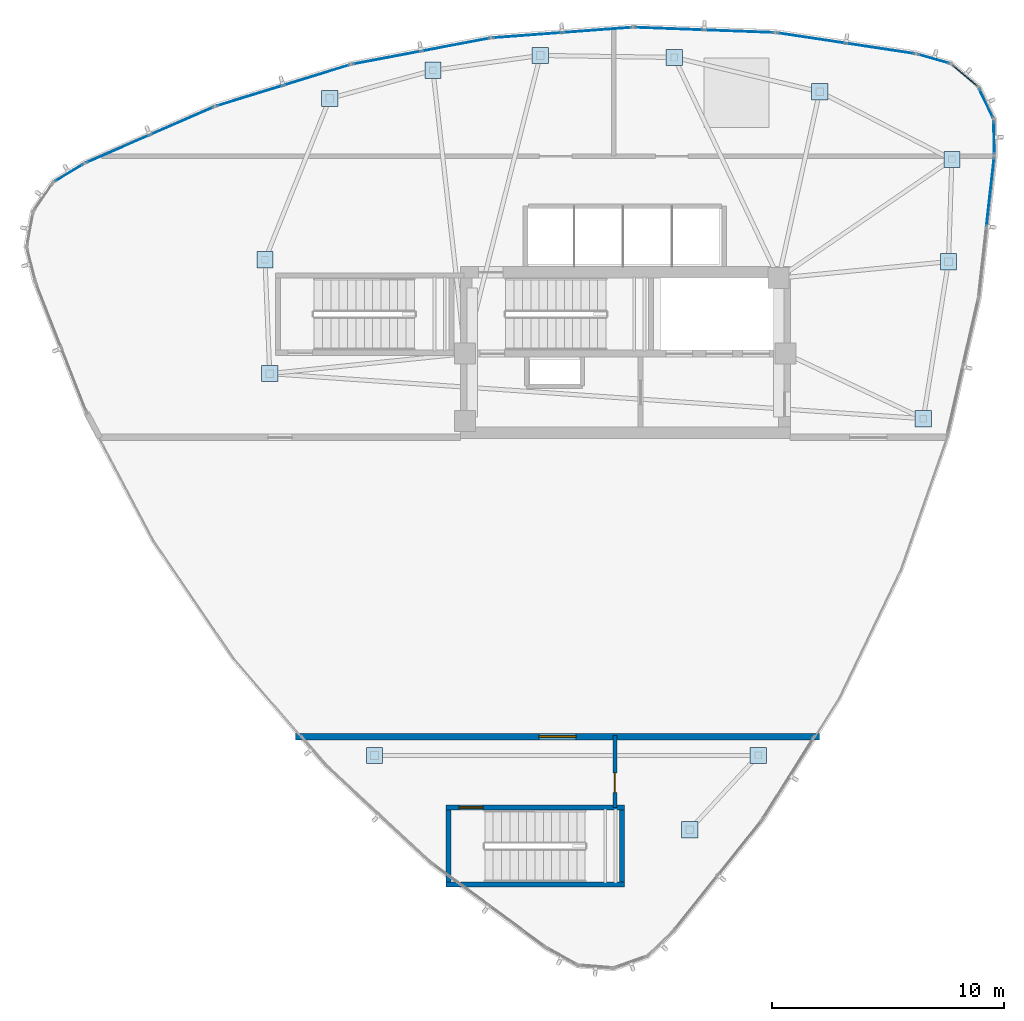
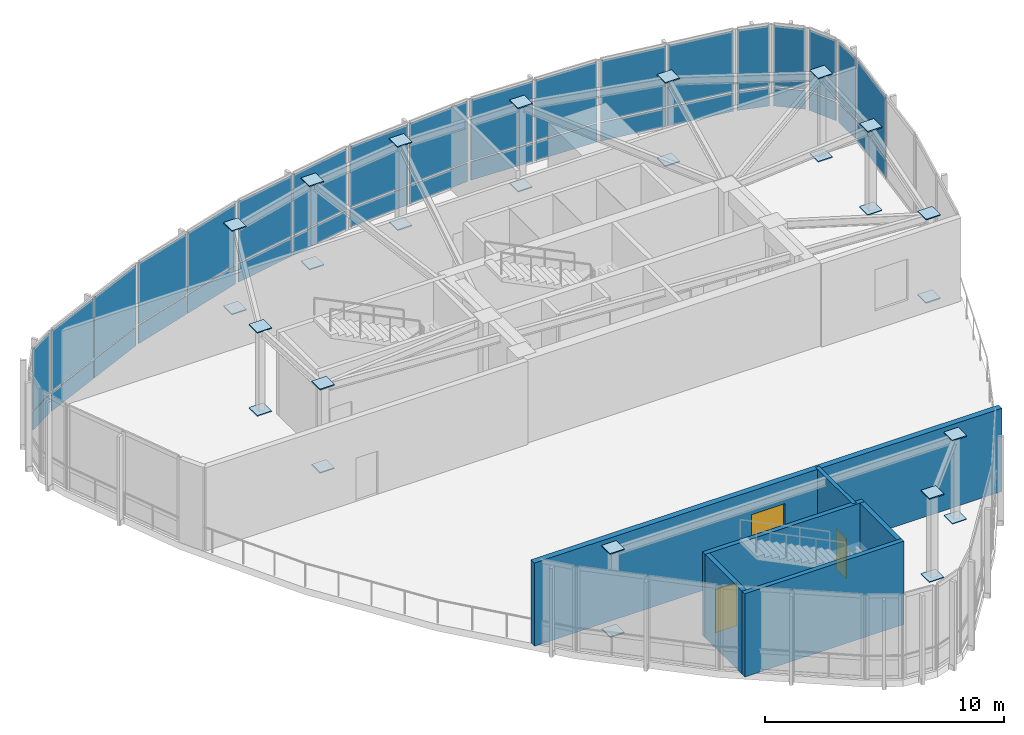
# One storey, part 10 of 16: 62 plates, 6 walls, 2 doors, 1 window, 3 openings, 12 elements without a shape of their own.
"""IFC4 building model written with IfcOpenShell, lengths in metres."""

import ifcopenshell
import ifcopenshell.guid

model = None  # the IFC model being written
_history = None  # IfcOwnerHistory: only IFC2X3 demands one
_inside = {}  # id of a spatial element -> (the spatial element, [elements in it])
_under = {}  # id of a project, library or spatial element -> (it, [spatial elements below it])
_declared = {}  # id of a project -> (the project, [libraries it declares])
_typed = {}  # id of a type object -> (the type object, [elements of that type])
_made_of = {}  # id of a material, layer set ... -> (it, [elements and type objects made of it])


def new_model(schema):
    """Start an empty IFC model of exactly this schema.

    Asked for "IFC4X3", IfcOpenShell would pick the latest addendum, in which some entities
    have other attributes; the version numbers below select the first issue.
    IFC2X3 requires an IfcOwnerHistory on every rooted entity: one is made here for all.
    """
    global model, _history
    if schema == "IFC4X3":
        model = ifcopenshell.file(schema_version=(4, 3, 0, 0))
    else:
        model = ifcopenshell.file(schema=schema)
    _inside.clear()
    _under.clear()
    _declared.clear()
    _typed.clear()
    _made_of.clear()
    _history = None
    if model.schema == "IFC2X3":
        org = make("IfcOrganization", Name="unknown")
        user = make(
            "IfcPersonAndOrganization",
            ThePerson=make("IfcPerson", FamilyName="unknown"),
            TheOrganization=org,
        )
        app = make(
            "IfcApplication",
            ApplicationDeveloper=org,
            Version="unknown",
            ApplicationFullName="unknown",
            ApplicationIdentifier="unknown",
        )
        _history = make(
            "IfcOwnerHistory",
            OwningUser=user,
            OwningApplication=app,
            ChangeAction="ADDED",
            CreationDate=0,
        )
    return model


def make(cls, **values):
    """One entity of the class cls with the attributes given. An attribute that is None is left unset."""
    return model.create_entity(
        cls, **{name: value for name, value in values.items() if value is not None}
    )


def rooted(cls, **values):
    """An entity with a GlobalId (a new one), such as an element, a storey or a relation."""
    return make(cls, GlobalId=ifcopenshell.guid.new(), OwnerHistory=_history, **values)


def si_unit(unit_type, name, prefix=None):
    """IfcSIUnit, for example si_unit("LENGTHUNIT", "METRE", prefix="MILLI")."""
    return make("IfcSIUnit", UnitType=unit_type, Prefix=prefix, Name=name)


def assignment(units):
    """IfcUnitAssignment: the units of a project."""
    return None if units is None else make("IfcUnitAssignment", Units=units)


def point(xyz):
    """IfcCartesianPoint."""
    return None if xyz is None else make("IfcCartesianPoint", Coordinates=xyz)


def direction(xyz):
    """IfcDirection."""
    return None if xyz is None else make("IfcDirection", DirectionRatios=xyz)


def frame(location, z_axis=None, x_axis=None):
    """IfcAxis2Placement3D, a coordinate frame: its origin and axes. An axis left out is left unset."""
    return make(
        "IfcAxis2Placement3D",
        Location=point(location),
        Axis=direction(z_axis),
        RefDirection=direction(x_axis),
    )


def frame_2d(location, x_axis=None):
    """IfcAxis2Placement2D, a coordinate frame in the plane: its origin and x axis."""
    return make(
        "IfcAxis2Placement2D", Location=point(location), RefDirection=direction(x_axis)
    )


def origin():
    """The frame at (0, 0, 0) with its axes left unset."""
    return frame((0.0, 0.0, 0.0))


def origin_2d():
    """The frame at (0, 0) in the plane with its x axis left unset."""
    return frame_2d((0.0, 0.0))


def place(relative_to, where):
    """IfcLocalPlacement: puts the frame where relative to a parent placement (None: the world)."""
    return make(
        "IfcLocalPlacement", PlacementRelTo=relative_to, RelativePlacement=where
    )


def context(
    kind, dimensions, precision=None, world=None, true_north=None, identifier=None
):
    """IfcGeometricRepresentationContext, for example the 3D "Model" context."""
    return make(
        "IfcGeometricRepresentationContext",
        ContextIdentifier=identifier,
        ContextType=kind,
        CoordinateSpaceDimension=dimensions,
        Precision=precision,
        WorldCoordinateSystem=world,
        TrueNorth=true_north,
    )


def subcontext(parent, identifier, kind, view, scale=None):
    """IfcGeometricRepresentationSubContext, for example "Body" below "Model"."""
    return make(
        "IfcGeometricRepresentationSubContext",
        ContextIdentifier=identifier,
        ContextType=kind,
        ParentContext=parent,
        TargetScale=scale,
        TargetView=view,
    )


def project(units=None, contexts=None):
    """IfcProject with its units and contexts."""
    return rooted(
        "IfcProject",
        Name="project",
        RepresentationContexts=contexts,
        UnitsInContext=assignment(units),
    )


def spatial(cls, under=None, at=None, **own):
    """A site, building, storey or space (cls), placed at a placement, below another one or the project."""
    s = rooted(cls, ObjectPlacement=at, **own)
    if under is not None:
        _under.setdefault(under.id(), (under, []))[1].append(s)
    return s


def profile(cls, at=None, kind="AREA", **sizes):
    """A parametric profile (cls). Its sizes go by their IFC names, for example OverallWidth=200.0."""
    return make(cls, ProfileType=kind, Position=at, **sizes)


def rectangle(**sizes):
    """IfcRectangleProfileDef."""
    return profile("IfcRectangleProfileDef", **sizes)


def extrude(swept, where, along, depth):
    """IfcExtrudedAreaSolid: the profile swept, set in the frame where, extruded along a direction by depth."""
    return make(
        "IfcExtrudedAreaSolid",
        SweptArea=swept,
        Position=where,
        ExtrudedDirection=direction(along),
        Depth=depth,
    )


def shape(context_of_items, identifier, shape_type, items):
    """IfcShapeRepresentation: the items that make up one representation, for example the "Body"."""
    return make(
        "IfcShapeRepresentation",
        ContextOfItems=context_of_items,
        RepresentationIdentifier=identifier,
        RepresentationType=shape_type,
        Items=items,
    )


def source(mapping_origin, context_of_items, identifier, shape_type, items):
    """IfcRepresentationMap: a shape defined once, which mapped items show again and again."""
    return make(
        "IfcRepresentationMap",
        MappingOrigin=mapping_origin,
        MappedRepresentation=shape(context_of_items, identifier, shape_type, items),
    )


def transform(
    local_origin,
    x_axis=None,
    y_axis=None,
    z_axis=None,
    scale=None,
    scale2=None,
    scale3=None,
    uniform=True,
):
    """IfcCartesianTransformationOperator3D, or its non-uniform kind. x_axis, y_axis, z_axis: its Axis1, 2, 3."""
    if uniform:
        return make(
            "IfcCartesianTransformationOperator3D",
            Axis1=direction(x_axis),
            Axis2=direction(y_axis),
            LocalOrigin=point(local_origin),
            Scale=scale,
            Axis3=direction(z_axis),
        )
    return make(
        "IfcCartesianTransformationOperator3DnonUniform",
        Axis1=direction(x_axis),
        Axis2=direction(y_axis),
        LocalOrigin=point(local_origin),
        Scale=scale,
        Axis3=direction(z_axis),
        Scale2=scale2,
        Scale3=scale3,
    )


def mapped(mapping_source, mapping_target):
    """IfcMappedItem: shows the shape of a source again, moved by a transform."""
    return make(
        "IfcMappedItem", MappingSource=mapping_source, MappingTarget=mapping_target
    )


def material(Name=None, Category=None):
    """IfcMaterial."""
    return make("IfcMaterial", Name=Name, Category=Category)


def layer(
    of_material, thickness, ventilated=None, Name=None, Category=None, Priority=None
):
    """IfcMaterialLayer: one layer of a wall or slab, of a material (None: an air gap)."""
    return make(
        "IfcMaterialLayer",
        Material=of_material,
        LayerThickness=thickness,
        IsVentilated=ventilated,
        Name=Name,
        Category=Category,
        Priority=Priority,
    )


def layer_set(layers, Name=None):
    """IfcMaterialLayerSet."""
    return make("IfcMaterialLayerSet", MaterialLayers=layers, LayerSetName=Name)


def made_of(thing, what):
    """Note that an element or type object is made of a material, layer set ...; save() writes the relation."""
    if what is not None:
        _made_of.setdefault(what.id(), (what, []))[1].append(thing)
    return thing


def type_object(cls, material=None, **own):
    """A type object (cls), such as IfcWallType, which elements share."""
    return made_of(rooted(cls, **own), material)


def type_shapes(of_type, sources):
    """Give a type object the sources (RepresentationMaps) that its elements show as mapped items."""
    of_type.RepresentationMaps = sources


def element(
    cls,
    number,
    at=None,
    inside=None,
    cuts=None,
    type_object=None,
    material=None,
    context=None,
    identifier="Body",
    shape_type=None,
    held_by="IfcProductDefinitionShape",
    body=None,
    shapes=None,
    **own,
):
    """One element of the class cls, such as IfcWall. Its Tag is "e" and its number.

    at: its placement. inside: the storey or other place that contains it. cuts: it is an
    opening in that element (IfcRelVoidsElement). A single representation is given by context,
    identifier, shape_type and body (its items); several are given by shapes. held_by: the class
    of the entity that holds the representations. save() writes the other relations.
    """
    e = rooted(cls, Tag="e%d" % number, ObjectPlacement=at, **own)
    if body is not None:
        shapes = [shape(context, identifier, shape_type, body)]
    if shapes is not None:
        e.Representation = make(held_by, Representations=shapes)
    if inside is not None:
        _inside.setdefault(inside.id(), (inside, []))[1].append(e)
    if cuts is not None:
        rooted(
            "IfcRelVoidsElement", RelatingBuildingElement=cuts, RelatedOpeningElement=e
        )
    if type_object is not None:
        _typed.setdefault(type_object.id(), (type_object, []))[1].append(e)
    return made_of(e, material)


def fill(opening, filler):
    """IfcRelFillsElement: the door or window that sits in an opening."""
    return rooted(
        "IfcRelFillsElement",
        RelatingOpeningElement=opening,
        RelatedBuildingElement=filler,
    )


def aggregate(whole, parts):
    """IfcRelAggregates: a whole, such as a stair, and the parts it consists of."""
    return rooted("IfcRelAggregates", RelatingObject=whole, RelatedObjects=parts)


def save(model, path):
    """Write the relations noted so far, then the file.

    IfcRelAggregates (storeys below a building ...), IfcRelContainedInSpatialStructure (elements
    in a storey), IfcRelDefinesByType, IfcRelAssociatesMaterial and IfcRelDeclares: one each for
    every whole, place, type object, material and project.
    """
    for whole, parts in _under.values():
        aggregate(whole, parts)
    for where, things in _inside.values():
        rooted(
            "IfcRelContainedInSpatialStructure",
            RelatedElements=things,
            RelatingStructure=where,
        )
    for kind, things in _typed.values():
        rooted("IfcRelDefinesByType", RelatedObjects=things, RelatingType=kind)
    for what, things in _made_of.values():
        rooted("IfcRelAssociatesMaterial", RelatedObjects=things, RelatingMaterial=what)
    for by, libraries in _declared.values():
        rooted("IfcRelDeclares", RelatingContext=by, RelatedDefinitions=libraries)
    model.write(path)


model = new_model("IFC4")

# Units and contexts
model_context = context("Model", 3, precision=1e-05, world=origin(), true_north=direction((0.0, 1.0)))
body_context = subcontext(model_context, "Body", "Model", "MODEL_VIEW")
ifc_project = project(units=[si_unit("LENGTHUNIT", "METRE"), si_unit("AREAUNIT", "SQUARE_METRE"), si_unit("VOLUMEUNIT", "CUBIC_METRE"), si_unit("PLANEANGLEUNIT", "RADIAN"), si_unit("MASSUNIT", "GRAM", prefix="KILO")], contexts=[model_context])

# Site, building, storey
site_placement = place(None, origin())
site = spatial("IfcSite", under=ifc_project, at=site_placement, CompositionType="ELEMENT")
building_placement = place(site_placement, origin())
building = spatial("IfcBuilding", under=site, at=building_placement, Name="Tavelor Broadcast Tower", CompositionType="ELEMENT")
storey_placement = place(building_placement, frame((0.0, 0.0, 332.10009765625)))
storey = spatial("IfcBuildingStorey", under=building, at=storey_placement, Name="L79", CompositionType="ELEMENT", Elevation=332.10009765625)

# Plates
ifc_material_1 = material(Name="Steel S460", Category="steel")
ifc_layer_1 = layer(ifc_material_1, 0.050048828125)
ifc_layer_set_1 = layer_set([ifc_layer_1], Name="Steel S460")
plate_type_1 = type_object("IfcPlateType", Name="Tube Hollow-End Cap Plate KN05 700x700x50", PredefinedType="USERDEFINED", material=ifc_layer_set_1)
shared_shape_1 = source(origin(), body_context, "Body", "SweptSolid", [
    extrude(rectangle(XDim=0.699951171875, YDim=0.699951171875, at=origin_2d()), origin(), (0.0, 0.0, 1.0), 0.054931640625),
])
type_shapes(plate_type_1, [shared_shape_1])
for number, where, z_axis, x_axis, name in (
    (1, (37.27294921875, 58.9375, -0.02734375), (0.0, 0.0, 1.0), (1.0, 0.0, 0.0), "L79 Hollow End Cap Plate KN05 #2425"),
    (2, (37.27294921875, 58.9375, 4.22265625), (0.0, 0.0, 1.0), (1.0, 0.0, 0.0), "L79 Hollow End Cap Plate KN05 #2426"),
    (3, (34.4853515625, 51.989013671875, -0.02734375), (0.0, 0.0, 1.0), (1.0, 0.0, 0.0), "L79 Hollow End Cap Plate KN05 #2427"),
    (4, (34.4853515625, 51.989013671875, 4.22265625), (0.0, 0.0, 1.0), (1.0, 0.0, 0.0), "L79 Hollow End Cap Plate KN05 #2428"),
    (5, (34.690673828125, 47.090087890625, -0.02734375), (0.0, 0.0, 1.0), (1.0, 0.0, 0.0), "L79 Hollow End Cap Plate KN05 #2429"),
    (6, (34.690673828125, 47.090087890625, 4.22265625), (0.0, 0.0, 1.0), (1.0, 0.0, 0.0), "L79 Hollow End Cap Plate KN05 #2430"),
    (7, (62.826416015625, 45.14990234375, -0.02734375), (0.0, 0.0, 1.0), (1.0, 0.0, 0.0), "L79 Hollow End Cap Plate KN05 #2431"),
    (8, (62.826416015625, 45.14990234375, 4.22265625), (0.0, 0.0, 1.0), (1.0, 0.0, 0.0), "L79 Hollow End Cap Plate KN05 #2432"),
    (9, (63.910888671875, 51.91064453125, -0.02734375), (0.0, 0.0, 1.0), (1.0, 0.0, 0.0), "L79 Hollow End Cap Plate KN05 #2433"),
    (10, (63.910888671875, 51.91064453125, 4.22265625), (0.0, 0.0, 1.0), (1.0, 0.0, 0.0), "L79 Hollow End Cap Plate KN05 #2434"),
    (11, (64.058349609375, 56.30859375, -0.02734375), (0.0, 0.0, 1.0), (1.0, 0.0, 0.0), "L79 Hollow End Cap Plate KN05 #2435"),
    (12, (64.058349609375, 56.30859375, 4.22265625), (0.0, 0.0, 1.0), (1.0, 0.0, 0.0), "L79 Hollow End Cap Plate KN05 #2436"),
    (13, (58.364013671875, 59.226318359375, -0.02734375), (0.0, 0.0, 1.0), (1.0, 0.0, 0.0), "L79 Hollow End Cap Plate KN05 #2437"),
    (14, (58.364013671875, 59.226318359375, 4.22265625), (0.0, 0.0, 1.0), (1.0, 0.0, 0.0), "L79 Hollow End Cap Plate KN05 #2438"),
    (15, (52.10400390625, 60.701416015625, -0.02734375), (0.0, 0.0, 1.0), (1.0, 0.0, 0.0), "L79 Hollow End Cap Plate KN05 #2439"),
    (16, (52.10400390625, 60.701416015625, 4.22265625), (0.0, 0.0, 1.0), (1.0, 0.0, 0.0), "L79 Hollow End Cap Plate KN05 #2440"),
    (17, (46.337158203125, 60.786865234375, -0.02734375), (0.0, 0.0, 1.0), (1.0, 0.0, 0.0), "L79 Hollow End Cap Plate KN05 #2441"),
    (18, (46.337158203125, 60.786865234375, 4.22265625), (0.0, 0.0, 1.0), (1.0, 0.0, 0.0), "L79 Hollow End Cap Plate KN05 #2442"),
    (19, (41.715087890625, 60.145751953125, -0.02734375), (0.0, 0.0, 1.0), (1.0, 0.0, 0.0), "L79 Hollow End Cap Plate KN05 #2443"),
    (20, (41.715087890625, 60.145751953125, 4.22265625), (0.0, 0.0, 1.0), (1.0, 0.0, 0.0), "L79 Hollow End Cap Plate KN05 #2444"),
    (21, (52.76708984375, 27.447998046875, -0.02734375), (0.0, 0.0, 1.0), (1.0, 0.0, 0.0), "L79 Hollow End Cap Plate KN05 #2445"),
    (22, (52.76708984375, 27.447998046875, 4.22265625), (0.0, 0.0, 1.0), (1.0, 0.0, 0.0), "L79 Hollow End Cap Plate KN05 #2446"),
    (23, (55.718505859375, 30.64990234375, -0.02734375), (0.0, 0.0, 1.0), (1.0, 0.0, 0.0), "L79 Hollow End Cap Plate KN05 #2447"),
    (24, (55.718505859375, 30.64990234375, 4.22265625), (0.0, 0.0, 1.0), (1.0, 0.0, 0.0), "L79 Hollow End Cap Plate KN05 #2448"),
    (25, (39.197509765625, 30.64990234375, -0.02734375), (0.0, 0.0, 1.0), (1.0, 0.0, 0.0), "L79 Hollow End Cap Plate KN05 #2449"),
    (26, (39.197509765625, 30.64990234375, 4.22265625), (0.0, 0.0, 1.0), (1.0, 0.0, 0.0), "L79 Hollow End Cap Plate KN05 #2450"),
):
    element("IfcPlate", number, at=place(storey_placement, frame(where, z_axis=z_axis, x_axis=x_axis)), inside=storey, type_object=plate_type_1, Name=name, ObjectType="CAP PLATE", PredefinedType="USERDEFINED", context=body_context, shape_type="MappedRepresentation", body=[
        mapped(shared_shape_1, transform((0.0, 0.0, 0.0), scale=1.0)),
    ])

# Curtain wall, plate
ifc_material_2 = material(Name="Architectural Anodized Aluminium", Category="aluminium")
ifc_layer_2 = layer(ifc_material_2, 0.2099609375)
ifc_layer_set_2 = layer_set([ifc_layer_2], Name="Architectural Anodized Aluminium")
curtain_wall_type = type_object("IfcCurtainWallType", Name="Split-Crown Beacon Curtain Wall CW06", PredefinedType="NOTDEFINED", material=ifc_layer_set_2)
curtain_wall_1_placement = place(storey_placement, origin())
curtain_wall_1 = element("IfcCurtainWall", 27, at=curtain_wall_1_placement, inside=storey, type_object=curtain_wall_type, Name="L79 Curtain Wall CW06 Run 878", PredefinedType="NOTDEFINED")
ifc_material_3 = material(Name="Dichroic Solar Laminated Glazing 34 mm", Category="glass")
ifc_layer_3 = layer(ifc_material_3, 0.033935546875)
ifc_layer_set_3 = layer_set([ifc_layer_3], Name="Dichroic Solar Laminated Glazing 34 mm")
plate_type_2 = type_object("IfcPlateType", Name="CW06 Insulated Vision Glazing Panel 34 mm", PredefinedType="CURTAIN_PANEL", material=ifc_layer_set_3)
shared_shape_2 = source(origin(), body_context, "Body", "SweptSolid", [
    extrude(rectangle(XDim=2.94140625, YDim=0.033935546875, at=origin_2d()), origin(), (0.0, 0.0, 1.0), 0.94189453125),
])
plate_1_placement = place(storey_placement, frame((65.710205078125, 54.922119140625, 0.072021484375), z_axis=(0.0, 0.0, 1.0), x_axis=(0.111820678752, 0.993728401427, 0.0)))
plate_1 = element("IfcPlate", 28, at=plate_1_placement, type_object=plate_type_2, Name="CW06 panel 2.1", PredefinedType="CURTAIN_PANEL", context=body_context, shape_type="MappedRepresentation", body=[
    mapped(shared_shape_2, transform((0.0, 0.0, 0.0), scale=1.0)),
])

# Curtain wall, plates
curtain_wall_2_placement = place(storey_placement, origin())
curtain_wall_2 = element("IfcCurtainWall", 29, at=curtain_wall_2_placement, inside=storey, type_object=curtain_wall_type, Name="L79 Curtain Wall CW06 Run 883", PredefinedType="NOTDEFINED")
plate_2_placement = place(storey_placement, frame((60.98193359375, 61.084228515625, 0.072021484375), z_axis=(0.0, 0.0, 1.0), x_axis=(-0.988806207895, 0.149205506693, 0.0)))
plate_2 = element("IfcPlate", 30, at=plate_2_placement, type_object=plate_type_2, Name="CW06 panel 1.1", PredefinedType="CURTAIN_PANEL", context=body_context, shape_type="MappedRepresentation", body=[
    mapped(shared_shape_2, transform((0.0, 0.0, 0.0), scale=1.0)),
])
plate_3_placement = place(storey_placement, frame((58.001953125, 61.533935546875, 0.072021484375), z_axis=(0.0, 0.0, 1.0), x_axis=(-0.988806207895, 0.149205506693, 0.0)))
plate_3 = element("IfcPlate", 31, at=plate_3_placement, type_object=plate_type_2, Name="CW06 panel 2.1", PredefinedType="CURTAIN_PANEL", context=body_context, shape_type="MappedRepresentation", body=[
    mapped(shared_shape_2, transform((0.0, 0.0, 0.0), scale=1.0)),
])

curtain_wall_3_placement = place(storey_placement, origin())
curtain_wall_3 = element("IfcCurtainWall", 32, at=curtain_wall_3_placement, inside=storey, type_object=curtain_wall_type, Name="L79 Curtain Wall CW06 Run 888", PredefinedType="NOTDEFINED")
plate_4_placement = place(storey_placement, frame((30.913818359375, 57.967529296875, 0.072021484375), z_axis=(0.0, 0.0, 1.0), x_axis=(-0.916499815321, -0.400035109106, 0.0)))
plate_4 = element("IfcPlate", 33, at=plate_4_placement, type_object=plate_type_2, Name="CW06 panel 1.1", PredefinedType="CURTAIN_PANEL", context=body_context, shape_type="MappedRepresentation", body=[
    mapped(shared_shape_2, transform((0.0, 0.0, 0.0), scale=1.0)),
])
plate_5_placement = place(storey_placement, frame((28.152099609375, 56.761962890625, 0.072021484375), z_axis=(0.0, 0.0, 1.0), x_axis=(-0.916499815321, -0.400035109106, 0.0)))
plate_5 = element("IfcPlate", 34, at=plate_5_placement, type_object=plate_type_2, Name="CW06 panel 2.1", PredefinedType="CURTAIN_PANEL", context=body_context, shape_type="MappedRepresentation", body=[
    mapped(shared_shape_2, transform((0.0, 0.0, 0.0), scale=1.0)),
])

# Plate
shared_shape_3 = source(origin(), body_context, "Body", "SweptSolid", [
    extrude(rectangle(XDim=2.94140625, YDim=0.033935546875, at=origin_2d()), origin(), (0.0, 0.0, 1.0), 3.092041015625),
])
plate_6_placement = place(storey_placement, frame((65.710205078125, 54.922119140625, 1.0859375), z_axis=(0.0, 0.0, 1.0), x_axis=(0.111820678752, 0.993728401427, 0.0)))
plate_6 = element("IfcPlate", 35, at=plate_6_placement, type_object=plate_type_2, Name="CW06 panel 2.2", PredefinedType="CURTAIN_PANEL", context=body_context, shape_type="MappedRepresentation", body=[
    mapped(shared_shape_3, transform((0.0, 0.0, 0.0), scale=1.0)),
])

aggregate(curtain_wall_1, [plate_1, plate_6])

plate_7_placement = place(storey_placement, frame((60.98193359375, 61.084228515625, 1.0859375), z_axis=(0.0, 0.0, 1.0), x_axis=(-0.988806207895, 0.149205506693, 0.0)))
plate_7 = element("IfcPlate", 36, at=plate_7_placement, type_object=plate_type_2, Name="CW06 panel 1.2", PredefinedType="CURTAIN_PANEL", context=body_context, shape_type="MappedRepresentation", body=[
    mapped(shared_shape_3, transform((0.0, 0.0, 0.0), scale=1.0)),
])

plate_8_placement = place(storey_placement, frame((58.001953125, 61.533935546875, 1.0859375), z_axis=(0.0, 0.0, 1.0), x_axis=(-0.988806207895, 0.149205506693, 0.0)))
plate_8 = element("IfcPlate", 37, at=plate_8_placement, type_object=plate_type_2, Name="CW06 panel 2.2", PredefinedType="CURTAIN_PANEL", context=body_context, shape_type="MappedRepresentation", body=[
    mapped(shared_shape_3, transform((0.0, 0.0, 0.0), scale=1.0)),
])

aggregate(curtain_wall_2, [plate_2, plate_7, plate_3, plate_8])

plate_9_placement = place(storey_placement, frame((30.913818359375, 57.967529296875, 1.0859375), z_axis=(0.0, 0.0, 1.0), x_axis=(-0.916499815321, -0.400035109106, 0.0)))
plate_9 = element("IfcPlate", 38, at=plate_9_placement, type_object=plate_type_2, Name="CW06 panel 1.2", PredefinedType="CURTAIN_PANEL", context=body_context, shape_type="MappedRepresentation", body=[
    mapped(shared_shape_3, transform((0.0, 0.0, 0.0), scale=1.0)),
])

plate_10_placement = place(storey_placement, frame((28.152099609375, 56.761962890625, 1.0859375), z_axis=(0.0, 0.0, 1.0), x_axis=(-0.916499815321, -0.400035109106, 0.0)))
plate_10 = element("IfcPlate", 39, at=plate_10_placement, type_object=plate_type_2, Name="CW06 panel 2.2", PredefinedType="CURTAIN_PANEL", context=body_context, shape_type="MappedRepresentation", body=[
    mapped(shared_shape_3, transform((0.0, 0.0, 0.0), scale=1.0)),
])

aggregate(curtain_wall_3, [plate_4, plate_9, plate_5, plate_10])

# Curtain wall, plate
curtain_wall_4_placement = place(storey_placement, origin())
curtain_wall_4 = element("IfcCurtainWall", 40, at=curtain_wall_4_placement, inside=storey, type_object=curtain_wall_type, Name="L79 Curtain Wall CW06 Run 879", PredefinedType="NOTDEFINED")
shared_shape_4 = source(origin(), body_context, "Body", "SweptSolid", [
    extrude(rectangle(XDim=1.38720703125, YDim=0.033935546875, at=origin_2d()), origin(), (0.0, 0.0, 1.0), 0.94189453125),
])
plate_11_placement = place(storey_placement, frame((65.8701171875, 57.250732421875, 0.072021484375), z_axis=(0.0, 0.0, 1.0), x_axis=(-0.018352124602, 0.99983158558, 0.0)))
plate_11 = element("IfcPlate", 41, at=plate_11_placement, type_object=plate_type_2, Name="CW06 panel 1.1", PredefinedType="CURTAIN_PANEL", context=body_context, shape_type="MappedRepresentation", body=[
    mapped(shared_shape_4, transform((0.0, 0.0, 0.0), scale=1.0)),
])

curtain_wall_5_placement = place(storey_placement, origin())
curtain_wall_5 = element("IfcCurtainWall", 42, at=curtain_wall_5_placement, inside=storey, type_object=curtain_wall_type, Name="L79 Curtain Wall CW06 Run 882", PredefinedType="NOTDEFINED")
plate_12_placement = place(storey_placement, frame((63.2724609375, 60.635986328125, 0.072021484375), z_axis=(0.0, 0.0, 1.0), x_axis=(-0.961009666298, 0.276514775884, 0.0)))
plate_12 = element("IfcPlate", 43, at=plate_12_placement, type_object=plate_type_2, Name="CW06 panel 1.1", PredefinedType="CURTAIN_PANEL", context=body_context, shape_type="MappedRepresentation", body=[
    mapped(shared_shape_4, transform((0.0, 0.0, 0.0), scale=1.0)),
])

curtain_wall_6_placement = place(storey_placement, origin())
curtain_wall_6 = element("IfcCurtainWall", 44, at=curtain_wall_6_placement, inside=storey, type_object=curtain_wall_type, Name="L79 Curtain Wall CW06 Run 889", PredefinedType="NOTDEFINED")
plate_13_placement = place(storey_placement, frame((26.0556640625, 55.736083984375, 0.072021484375), z_axis=(0.0, 0.0, 1.0), x_axis=(-0.856690860176, -0.51583017563, 0.0)))
plate_13 = element("IfcPlate", 45, at=plate_13_placement, type_object=plate_type_2, Name="CW06 panel 1.1", PredefinedType="CURTAIN_PANEL", context=body_context, shape_type="MappedRepresentation", body=[
    mapped(shared_shape_4, transform((0.0, 0.0, 0.0), scale=1.0)),
])

# Plate
shared_shape_5 = source(origin(), body_context, "Body", "SweptSolid", [
    extrude(rectangle(XDim=1.38720703125, YDim=0.033935546875, at=origin_2d()), origin(), (0.0, 0.0, 1.0), 3.092041015625),
])
plate_14_placement = place(storey_placement, frame((65.8701171875, 57.250732421875, 1.0859375), z_axis=(0.0, 0.0, 1.0), x_axis=(-0.018352124602, 0.99983158558, 0.0)))
plate_14 = element("IfcPlate", 46, at=plate_14_placement, type_object=plate_type_2, Name="CW06 panel 1.2", PredefinedType="CURTAIN_PANEL", context=body_context, shape_type="MappedRepresentation", body=[
    mapped(shared_shape_5, transform((0.0, 0.0, 0.0), scale=1.0)),
])

aggregate(curtain_wall_4, [plate_11, plate_14])

plate_15_placement = place(storey_placement, frame((63.2724609375, 60.635986328125, 1.0859375), z_axis=(0.0, 0.0, 1.0), x_axis=(-0.961009666298, 0.276514775884, 0.0)))
plate_15 = element("IfcPlate", 47, at=plate_15_placement, type_object=plate_type_2, Name="CW06 panel 1.2", PredefinedType="CURTAIN_PANEL", context=body_context, shape_type="MappedRepresentation", body=[
    mapped(shared_shape_5, transform((0.0, 0.0, 0.0), scale=1.0)),
])

aggregate(curtain_wall_5, [plate_12, plate_15])

plate_16_placement = place(storey_placement, frame((26.0556640625, 55.736083984375, 1.0859375), z_axis=(0.0, 0.0, 1.0), x_axis=(-0.856690860176, -0.51583017563, 0.0)))
plate_16 = element("IfcPlate", 48, at=plate_16_placement, type_object=plate_type_2, Name="CW06 panel 1.2", PredefinedType="CURTAIN_PANEL", context=body_context, shape_type="MappedRepresentation", body=[
    mapped(shared_shape_5, transform((0.0, 0.0, 0.0), scale=1.0)),
])

aggregate(curtain_wall_6, [plate_13, plate_16])

# Curtain wall, plate
curtain_wall_7_placement = place(storey_placement, origin())
curtain_wall_7 = element("IfcCurtainWall", 49, at=curtain_wall_7_placement, inside=storey, type_object=curtain_wall_type, Name="L79 Curtain Wall CW06 Run 880", PredefinedType="NOTDEFINED")
shared_shape_6 = source(origin(), body_context, "Body", "SweptSolid", [
    extrude(rectangle(XDim=1.3662109375, YDim=0.033935546875, at=origin_2d()), origin(), (0.0, 0.0, 1.0), 0.94189453125),
])
plate_17_placement = place(storey_placement, frame((65.526123046875, 58.72705078125, 0.072021484375), z_axis=(0.0, 0.0, 1.0), x_axis=(-0.428228662142, 0.903670411666, 0.0)))
plate_17 = element("IfcPlate", 50, at=plate_17_placement, type_object=plate_type_2, Name="CW06 panel 1.1", PredefinedType="CURTAIN_PANEL", context=body_context, shape_type="MappedRepresentation", body=[
    mapped(shared_shape_6, transform((0.0, 0.0, 0.0), scale=1.0)),
])

curtain_wall_8_placement = place(storey_placement, origin())
curtain_wall_8 = element("IfcCurtainWall", 51, at=curtain_wall_8_placement, inside=storey, type_object=curtain_wall_type, Name="L79 Curtain Wall CW06 Run 881", PredefinedType="NOTDEFINED")
plate_18_placement = place(storey_placement, frame((64.609375, 59.92138671875, 0.072021484375), z_axis=(0.0, 0.0, 1.0), x_axis=(-0.762091240254, 0.647469645256, 0.0)))
plate_18 = element("IfcPlate", 52, at=plate_18_placement, type_object=plate_type_2, Name="CW06 panel 1.1", PredefinedType="CURTAIN_PANEL", context=body_context, shape_type="MappedRepresentation", body=[
    mapped(shared_shape_6, transform((0.0, 0.0, 0.0), scale=1.0)),
])

# Plate
shared_shape_7 = source(origin(), body_context, "Body", "SweptSolid", [
    extrude(rectangle(XDim=1.3662109375, YDim=0.033935546875, at=origin_2d()), origin(), (0.0, 0.0, 1.0), 3.092041015625),
])
plate_19_placement = place(storey_placement, frame((65.526123046875, 58.72705078125, 1.0859375), z_axis=(0.0, 0.0, 1.0), x_axis=(-0.428228662142, 0.903670411666, 0.0)))
plate_19 = element("IfcPlate", 53, at=plate_19_placement, type_object=plate_type_2, Name="CW06 panel 1.2", PredefinedType="CURTAIN_PANEL", context=body_context, shape_type="MappedRepresentation", body=[
    mapped(shared_shape_7, transform((0.0, 0.0, 0.0), scale=1.0)),
])

aggregate(curtain_wall_7, [plate_17, plate_19])

plate_20_placement = place(storey_placement, frame((64.609375, 59.92138671875, 1.0859375), z_axis=(0.0, 0.0, 1.0), x_axis=(-0.762091240254, 0.647469645256, 0.0)))
plate_20 = element("IfcPlate", 54, at=plate_20_placement, type_object=plate_type_2, Name="CW06 panel 1.2", PredefinedType="CURTAIN_PANEL", context=body_context, shape_type="MappedRepresentation", body=[
    mapped(shared_shape_7, transform((0.0, 0.0, 0.0), scale=1.0)),
])

aggregate(curtain_wall_8, [plate_18, plate_20])

# Curtain wall, plates
curtain_wall_9_placement = place(storey_placement, origin())
curtain_wall_9 = element("IfcCurtainWall", 55, at=curtain_wall_9_placement, inside=storey, type_object=curtain_wall_type, Name="L79 Curtain Wall CW06 Run 884", PredefinedType="NOTDEFINED")
shared_shape_8 = source(origin(), body_context, "Body", "SweptSolid", [
    extrude(rectangle(XDim=2.942138671875, YDim=0.033935546875, at=origin_2d()), origin(), (0.0, 0.0, 1.0), 0.94189453125),
])
plate_21_placement = place(storey_placement, frame((54.90478515625, 61.82470703125, 0.072021484375), z_axis=(0.0, 0.0, 1.0), x_axis=(-0.999298206437, 0.037457904524, 0.0)))
plate_21 = element("IfcPlate", 56, at=plate_21_placement, type_object=plate_type_2, Name="CW06 panel 1.1", PredefinedType="CURTAIN_PANEL", context=body_context, shape_type="MappedRepresentation", body=[
    mapped(shared_shape_8, transform((0.0, 0.0, 0.0), scale=1.0)),
])
plate_22_placement = place(storey_placement, frame((51.892822265625, 61.9375, 0.072021484375), z_axis=(0.0, 0.0, 1.0), x_axis=(-0.999298206437, 0.037457904524, 0.0)))
plate_22 = element("IfcPlate", 57, at=plate_22_placement, type_object=plate_type_2, Name="CW06 panel 2.1", PredefinedType="CURTAIN_PANEL", context=body_context, shape_type="MappedRepresentation", body=[
    mapped(shared_shape_8, transform((0.0, 0.0, 0.0), scale=1.0)),
])

curtain_wall_10_placement = place(storey_placement, origin())
curtain_wall_10 = element("IfcCurtainWall", 58, at=curtain_wall_10_placement, inside=storey, type_object=curtain_wall_type, Name="L79 Curtain Wall CW06 Run 885", PredefinedType="NOTDEFINED")
plate_23_placement = place(storey_placement, frame((48.7822265625, 61.879638671875, 0.072021484375), z_axis=(0.0, 0.0, 1.0), x_axis=(-0.997205999421, -0.074700700927, 0.0)))
plate_23 = element("IfcPlate", 59, at=plate_23_placement, type_object=plate_type_2, Name="CW06 panel 1.1", PredefinedType="CURTAIN_PANEL", context=body_context, shape_type="MappedRepresentation", body=[
    mapped(shared_shape_8, transform((0.0, 0.0, 0.0), scale=1.0)),
])
plate_24_placement = place(storey_placement, frame((45.7763671875, 61.654296875, 0.072021484375), z_axis=(0.0, 0.0, 1.0), x_axis=(-0.997205999421, -0.074700700927, 0.0)))
plate_24 = element("IfcPlate", 60, at=plate_24_placement, type_object=plate_type_2, Name="CW06 panel 2.1", PredefinedType="CURTAIN_PANEL", context=body_context, shape_type="MappedRepresentation", body=[
    mapped(shared_shape_8, transform((0.0, 0.0, 0.0), scale=1.0)),
])

curtain_wall_11_placement = place(storey_placement, origin())
curtain_wall_11 = element("IfcCurtainWall", 61, at=curtain_wall_11_placement, inside=storey, type_object=curtain_wall_type, Name="L79 Curtain Wall CW06 Run 886", PredefinedType="NOTDEFINED")
plate_25_placement = place(storey_placement, frame((42.69189453125, 61.248291015625, 0.072021484375), z_axis=(0.0, 0.0, 1.0), x_axis=(-0.982560695493, -0.185942140658, 0.0)))
plate_25 = element("IfcPlate", 62, at=plate_25_placement, type_object=plate_type_2, Name="CW06 panel 1.1", PredefinedType="CURTAIN_PANEL", context=body_context, shape_type="MappedRepresentation", body=[
    mapped(shared_shape_8, transform((0.0, 0.0, 0.0), scale=1.0)),
])
plate_26_placement = place(storey_placement, frame((39.730224609375, 60.687744140625, 0.072021484375), z_axis=(0.0, 0.0, 1.0), x_axis=(-0.982560695493, -0.185942140658, 0.0)))
plate_26 = element("IfcPlate", 63, at=plate_26_placement, type_object=plate_type_2, Name="CW06 panel 2.1", PredefinedType="CURTAIN_PANEL", context=body_context, shape_type="MappedRepresentation", body=[
    mapped(shared_shape_8, transform((0.0, 0.0, 0.0), scale=1.0)),
])

curtain_wall_12_placement = place(storey_placement, origin())
curtain_wall_12 = element("IfcCurtainWall", 64, at=curtain_wall_12_placement, inside=storey, type_object=curtain_wall_type, Name="L79 Curtain Wall CW06 Run 887", PredefinedType="NOTDEFINED")
plate_27_placement = place(storey_placement, frame((36.71044921875, 59.938720703125, 0.072021484375), z_axis=(0.0, 0.0, 1.0), x_axis=(-0.955546910173, -0.294839112838, 0.0)))
plate_27 = element("IfcPlate", 65, at=plate_27_placement, type_object=plate_type_2, Name="CW06 panel 1.1", PredefinedType="CURTAIN_PANEL", context=body_context, shape_type="MappedRepresentation", body=[
    mapped(shared_shape_8, transform((0.0, 0.0, 0.0), scale=1.0)),
])
plate_28_placement = place(storey_placement, frame((33.830322265625, 59.050048828125, 0.072021484375), z_axis=(0.0, 0.0, 1.0), x_axis=(-0.955546910173, -0.294839112838, 0.0)))
plate_28 = element("IfcPlate", 66, at=plate_28_placement, type_object=plate_type_2, Name="CW06 panel 2.1", PredefinedType="CURTAIN_PANEL", context=body_context, shape_type="MappedRepresentation", body=[
    mapped(shared_shape_8, transform((0.0, 0.0, 0.0), scale=1.0)),
])

# Plate
shared_shape_9 = source(origin(), body_context, "Body", "SweptSolid", [
    extrude(rectangle(XDim=2.942138671875, YDim=0.033935546875, at=origin_2d()), origin(), (0.0, 0.0, 1.0), 3.092041015625),
])
type_shapes(plate_type_2, [shared_shape_2, shared_shape_3, shared_shape_4, shared_shape_5, shared_shape_6, shared_shape_7, shared_shape_8, shared_shape_9])
plate_29_placement = place(storey_placement, frame((54.90478515625, 61.82470703125, 1.0859375), z_axis=(0.0, 0.0, 1.0), x_axis=(-0.999298206437, 0.037457904524, 0.0)))
plate_29 = element("IfcPlate", 67, at=plate_29_placement, type_object=plate_type_2, Name="CW06 panel 1.2", PredefinedType="CURTAIN_PANEL", context=body_context, shape_type="MappedRepresentation", body=[
    mapped(shared_shape_9, transform((0.0, 0.0, 0.0), scale=1.0)),
])

plate_30_placement = place(storey_placement, frame((51.892822265625, 61.9375, 1.0859375), z_axis=(0.0, 0.0, 1.0), x_axis=(-0.999298206437, 0.037457904524, 0.0)))
plate_30 = element("IfcPlate", 68, at=plate_30_placement, type_object=plate_type_2, Name="CW06 panel 2.2", PredefinedType="CURTAIN_PANEL", context=body_context, shape_type="MappedRepresentation", body=[
    mapped(shared_shape_9, transform((0.0, 0.0, 0.0), scale=1.0)),
])

aggregate(curtain_wall_9, [plate_21, plate_29, plate_22, plate_30])

plate_31_placement = place(storey_placement, frame((48.7822265625, 61.879638671875, 1.0859375), z_axis=(0.0, 0.0, 1.0), x_axis=(-0.997205999421, -0.074700700927, 0.0)))
plate_31 = element("IfcPlate", 69, at=plate_31_placement, type_object=plate_type_2, Name="CW06 panel 1.2", PredefinedType="CURTAIN_PANEL", context=body_context, shape_type="MappedRepresentation", body=[
    mapped(shared_shape_9, transform((0.0, 0.0, 0.0), scale=1.0)),
])

plate_32_placement = place(storey_placement, frame((45.7763671875, 61.654296875, 1.0859375), z_axis=(0.0, 0.0, 1.0), x_axis=(-0.997205999421, -0.074700700927, 0.0)))
plate_32 = element("IfcPlate", 70, at=plate_32_placement, type_object=plate_type_2, Name="CW06 panel 2.2", PredefinedType="CURTAIN_PANEL", context=body_context, shape_type="MappedRepresentation", body=[
    mapped(shared_shape_9, transform((0.0, 0.0, 0.0), scale=1.0)),
])

aggregate(curtain_wall_10, [plate_23, plate_31, plate_24, plate_32])

plate_33_placement = place(storey_placement, frame((42.69189453125, 61.248291015625, 1.0859375), z_axis=(0.0, 0.0, 1.0), x_axis=(-0.982560695493, -0.185942140658, 0.0)))
plate_33 = element("IfcPlate", 71, at=plate_33_placement, type_object=plate_type_2, Name="CW06 panel 1.2", PredefinedType="CURTAIN_PANEL", context=body_context, shape_type="MappedRepresentation", body=[
    mapped(shared_shape_9, transform((0.0, 0.0, 0.0), scale=1.0)),
])

plate_34_placement = place(storey_placement, frame((39.730224609375, 60.687744140625, 1.0859375), z_axis=(0.0, 0.0, 1.0), x_axis=(-0.982560695493, -0.185942140658, 0.0)))
plate_34 = element("IfcPlate", 72, at=plate_34_placement, type_object=plate_type_2, Name="CW06 panel 2.2", PredefinedType="CURTAIN_PANEL", context=body_context, shape_type="MappedRepresentation", body=[
    mapped(shared_shape_9, transform((0.0, 0.0, 0.0), scale=1.0)),
])

aggregate(curtain_wall_11, [plate_25, plate_33, plate_26, plate_34])

plate_35_placement = place(storey_placement, frame((36.71044921875, 59.938720703125, 1.0859375), z_axis=(0.0, 0.0, 1.0), x_axis=(-0.955546910173, -0.294839112838, 0.0)))
plate_35 = element("IfcPlate", 73, at=plate_35_placement, type_object=plate_type_2, Name="CW06 panel 1.2", PredefinedType="CURTAIN_PANEL", context=body_context, shape_type="MappedRepresentation", body=[
    mapped(shared_shape_9, transform((0.0, 0.0, 0.0), scale=1.0)),
])

plate_36_placement = place(storey_placement, frame((33.830322265625, 59.050048828125, 1.0859375), z_axis=(0.0, 0.0, 1.0), x_axis=(-0.955546910173, -0.294839112838, 0.0)))
plate_36 = element("IfcPlate", 74, at=plate_36_placement, type_object=plate_type_2, Name="CW06 panel 2.2", PredefinedType="CURTAIN_PANEL", context=body_context, shape_type="MappedRepresentation", body=[
    mapped(shared_shape_9, transform((0.0, 0.0, 0.0), scale=1.0)),
])

aggregate(curtain_wall_12, [plate_27, plate_35, plate_28, plate_36])

# Wall, opening, door
ifc_material_4 = material(Name="Calcium Silicate Fire Board 180 mm", Category="gypsum")
ifc_layer_4 = layer(ifc_material_4, 0.179931640625)
ifc_layer_set_4 = layer_set([ifc_layer_4], Name="Calcium Silicate Fire Board 180 mm")
wall_type_1 = type_object("IfcWallType", Name="Fire-Rated Corridor Partition Wall 180 mm", PredefinedType="PARTITIONING", material=ifc_layer_set_4)
wall_1_placement = place(storey_placement, frame((49.550048828125, 28.39990234375, 0.0), z_axis=(0.0, 0.0, 1.0), x_axis=(0.0, 1.0, 0.0)))
wall_1 = element("IfcWall", 75, at=wall_1_placement, inside=storey, type_object=wall_type_1, Name="L79 Peak B Telemetry Plant Wall", PredefinedType="PARTITIONING", context=body_context, shape_type="SweptSolid", body=[
    extrude(rectangle(XDim=3.10009765625, YDim=0.179931640625, at=frame_2d((1.550048828125, 0.0))), origin(), (0.0, 0.0, 1.0), 4.25),
])
opening_1_placement = place(wall_1_placement, frame((0.64990234375, 0.0, 0.0)))
opening_1 = element("IfcOpeningElement", 76, at=opening_1_placement, cuts=wall_1, Name="Opening DR36", PredefinedType="OPENING", context=body_context, shape_type="SweptSolid", body=[
    extrude(rectangle(XDim=0.85009765625, YDim=2.050048828125, at=frame_2d((0.425048828125, 1.02490234375))), frame((0.0, 0.10009765625, 0.0), z_axis=(0.0, -1.0, 0.0), x_axis=(1.0, 0.0, 0.0)), (0.0, 0.0, 1.0), 0.199951171875),
])
ifc_material_5 = material(Name="Steel S355", Category="steel")
door_type_1 = type_object("IfcDoorType", Name="Service Room Fire Door 850x2050", OperationType="NOTDEFINED", PredefinedType="DOOR", material=ifc_material_5)
door_1_placement = place(opening_1_placement, origin())
door_1 = element("IfcDoor", 77, at=door_1_placement, inside=storey, type_object=door_type_1, Name="L79 Peak B Telemetry Plant Door", OperationType="SINGLE_SWING_RIGHT", OverallHeight=2.050048828125, OverallWidth=0.85009765625, PredefinedType="DOOR", context=body_context, shape_type="SweptSolid", body=[
    extrude(rectangle(XDim=0.85009765625, YDim=2.050048828125, at=frame_2d((0.425048828125, 1.02490234375))), frame((0.0, 0.02490234375, 0.0), z_axis=(0.0, -1.0, 0.0), x_axis=(1.0, 0.0, 0.0)), (0.0, 0.0, 1.0), 0.050048828125),
])
fill(opening_1, door_1)

# Wall, opening, window
ifc_material_6 = material(Name="Precast Concrete C40/50", Category="concrete")
ifc_layer_5 = layer(ifc_material_6, 0.280029296875)
ifc_layer_set_5 = layer_set([ifc_layer_5], Name="Precast Concrete C40/50")
wall_type_2 = type_object("IfcWallType", Name="Insulated Precast Terracotta Facade Wall 280 mm", PredefinedType="STANDARD", material=ifc_layer_set_5)
wall_2_placement = place(storey_placement, frame((58.36279296875, 31.4599609375, 0.0), z_axis=(0.0, 0.0, 1.0), x_axis=(-1.0, 0.0, 0.0)))
wall_2 = element("IfcWall", 78, at=wall_2_placement, inside=storey, type_object=wall_type_2, Name="L79 Crown Peak B Sky-Slot Wall 01.1", PredefinedType="STANDARD", context=body_context, shape_type="SweptSolid", body=[
    extrude(rectangle(XDim=22.572998046875, YDim=0.280029296875, at=frame_2d((11.28662109375, 0.0))), origin(), (0.0, 0.0, 1.0), 4.25),
])
opening_2_placement = place(wall_2_placement, frame((10.486572265625, 0.0, 0.949951171875)))
opening_2 = element("IfcOpeningElement", 79, at=opening_2_placement, cuts=wall_2, Name="Opening WN29", PredefinedType="OPENING", context=body_context, shape_type="SweptSolid", body=[
    extrude(rectangle(XDim=1.60009765625, YDim=2.10009765625, at=frame_2d((0.800048828125, 1.050048828125))), frame((0.0, 0.14990234375, 0.0), z_axis=(0.0, -1.0, 0.0), x_axis=(1.0, 0.0, 0.0)), (0.0, 0.0, 1.0), 0.300048828125),
])
ifc_material_7 = material(Name="Acoustic Double Glazing 28 mm", Category="glass")
window_type = type_object("IfcWindowType", Name="Crown Beacon Observation Window 1600x2100", PartitioningType="SINGLE_PANEL", PredefinedType="WINDOW", material=ifc_material_7)
window_placement = place(opening_2_placement, origin())
window = element("IfcWindow", 80, at=window_placement, inside=storey, type_object=window_type, Name="L79 Crown Sky-Slot Observation Window B01.1", OverallHeight=2.10009765625, OverallWidth=1.60009765625, PartitioningType="SINGLE_PANEL", PredefinedType="WINDOW", context=body_context, shape_type="SweptSolid", body=[
    extrude(rectangle(XDim=1.60009765625, YDim=2.10009765625, at=frame_2d((0.800048828125, 1.050048828125))), frame((0.0, 0.030029296875, 0.0), z_axis=(0.0, -1.0, 0.0), x_axis=(1.0, 0.0, 0.0)), (0.0, 0.0, 1.0), 0.06005859375),
])
fill(opening_2, window)

# Wall
ifc_material_8 = material(Name="Concrete C40/50", Category="concrete")
ifc_layer_6 = layer(ifc_material_8, 0.219970703125)
ifc_layer_set_6 = layer_set([ifc_layer_6], Name="Concrete C40/50")
wall_type_3 = type_object("IfcWallType", Name="Structural Stairwell Shear Wall 220 mm", PredefinedType="SHEAR", material=ifc_layer_set_6)
wall_3_placement = place(storey_placement, frame((42.280029296875, 25.090087890625, 0.0), z_axis=(0.0, 0.0, 1.0), x_axis=(1.0, 0.0, 0.0)))
element("IfcWall", 81, at=wall_3_placement, inside=storey, type_object=wall_type_3, Name="L79 Stair ST6 Structural Shaft Wall S", PredefinedType="SHEAR", context=body_context, shape_type="SweptSolid", body=[
    extrude(rectangle(XDim=7.68994140625, YDim=0.219970703125, at=frame_2d((3.844970703125, 0.0))), origin(), (0.0, 0.0, 1.0), 4.25),
])

# Wall, opening, door
wall_4_placement = place(storey_placement, frame((42.280029296875, 28.409912109375, 0.0), z_axis=(0.0, 0.0, 1.0), x_axis=(1.0, 0.0, 0.0)))
wall_4 = element("IfcWall", 82, at=wall_4_placement, inside=storey, type_object=wall_type_3, Name="L79 Stair ST6 Structural Shaft Wall N", PredefinedType="SHEAR", context=body_context, shape_type="SweptSolid", body=[
    extrude(rectangle(XDim=7.68994140625, YDim=0.219970703125, at=frame_2d((3.844970703125, 0.0))), origin(), (0.0, 0.0, 1.0), 4.25),
])
opening_3_placement = place(wall_4_placement, frame((0.550048828125, 0.0, 0.0)))
opening_3 = element("IfcOpeningElement", 83, at=opening_3_placement, cuts=wall_4, Name="Opening DR11", PredefinedType="OPENING", context=body_context, shape_type="SweptSolid", body=[
    extrude(rectangle(XDim=1.050048828125, YDim=2.199951171875, at=frame_2d((0.52490234375, 1.10009765625))), frame((0.0, 0.1201171875, 0.0), z_axis=(0.0, -1.0, 0.0), x_axis=(1.0, 0.0, 0.0)), (0.0, 0.0, 1.0), 0.239990234375),
])
door_type_2 = type_object("IfcDoorType", Name="Stair Core Fire Escape Door 1050x2200", OperationType="NOTDEFINED", PredefinedType="DOOR", material=ifc_material_5)
door_2_placement = place(opening_3_placement, origin())
door_2 = element("IfcDoor", 84, at=door_2_placement, inside=storey, type_object=door_type_2, Name="L79 Stair ST6 Protected Fire Door", OperationType="SINGLE_SWING_LEFT", OverallHeight=2.199951171875, OverallWidth=1.050048828125, PredefinedType="DOOR", context=body_context, shape_type="SweptSolid", body=[
    extrude(rectangle(XDim=1.050048828125, YDim=2.199951171875, at=frame_2d((0.52490234375, 1.10009765625))), frame((0.0, 0.02490234375, 0.0), z_axis=(0.0, -1.0, 0.0), x_axis=(1.0, 0.0, 0.0)), (0.0, 0.0, 1.0), 0.050048828125),
])
fill(opening_3, door_2)

# Walls
for number, where, z_axis, x_axis, name in (
    (85, (49.860107421875, 25.199951171875, 0.0), (0.0, 0.0, 1.0), (0.0, 1.0, 0.0), "L79 Stair ST6 Structural Shaft Wall E"),
    (86, (42.389892578125, 25.199951171875, 0.0), (0.0, 0.0, 1.0), (0.0, 1.0, 0.0), "L79 Stair ST6 Structural Shaft Wall W"),
):
    element("IfcWall", number, at=place(storey_placement, frame(where, z_axis=z_axis, x_axis=x_axis)), inside=storey, type_object=wall_type_3, Name=name, PredefinedType="SHEAR", context=body_context, shape_type="SweptSolid", body=[
        extrude(rectangle(XDim=3.10009765625, YDim=0.219970703125, at=frame_2d((1.550048828125, 0.0))), origin(), (0.0, 0.0, 1.0), 4.25),
    ])

save(model, "model.ifc")
